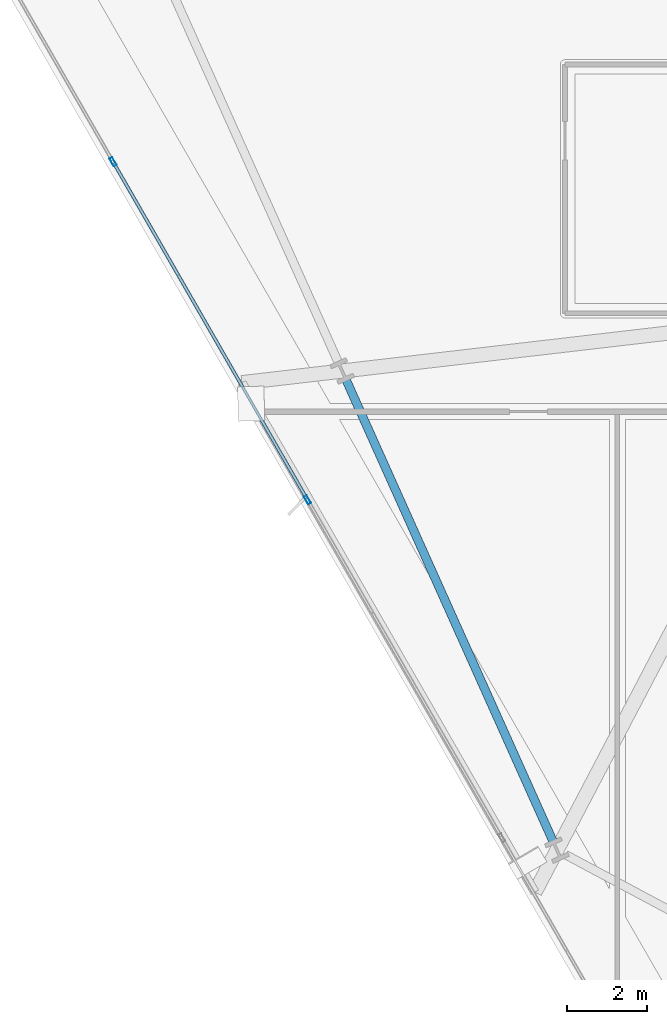
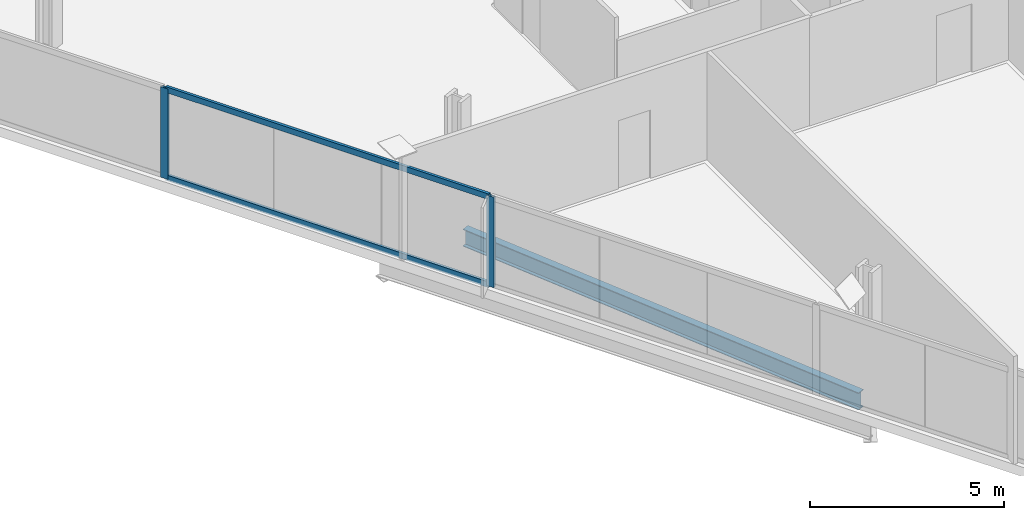
# One storey, part 4 of 33: 4 members, 1 beam, 1 element without a shape of its own.
"""IFC4 building model written with IfcOpenShell, lengths in metres."""

from ifc_helpers import new_model, si_unit, direction, frame, origin, origin_2d, place, context, subcontext, project, spatial, hollow_rectangle, i_section, extrude, material, material_profile, profile_set, type_object, element, aggregate, save


model = new_model("IFC4")

# Units and contexts
model_context = context("Model", 3, precision=1e-05, world=origin(), true_north=direction((0.0, 1.0)))
body_context = subcontext(model_context, "Body", "Model", "MODEL_VIEW")
ifc_project = project(units=[si_unit("LENGTHUNIT", "METRE"), si_unit("AREAUNIT", "SQUARE_METRE"), si_unit("VOLUMEUNIT", "CUBIC_METRE"), si_unit("PLANEANGLEUNIT", "RADIAN"), si_unit("MASSUNIT", "GRAM", prefix="KILO")], contexts=[model_context])

# Site, building, storey
site_placement = place(None, origin())
site = spatial("IfcSite", under=ifc_project, at=site_placement, CompositionType="ELEMENT")
building_placement = place(site_placement, origin())
building = spatial("IfcBuilding", under=site, at=building_placement, Name="Haldenkirk Collegiate Tower", CompositionType="ELEMENT")
storey_placement = place(building_placement, frame((0.0, 0.0, 127.949951171875)))
storey = spatial("IfcBuildingStorey", under=building, at=storey_placement, Name="L31", CompositionType="ELEMENT", Elevation=127.949951171875)

# Beam
ifc_material_1 = material(Name="Steel ASTM A992 Grade 50", Category="steel")
ifc_material_profile_1 = material_profile(ifc_material_1, i_section(OverallWidth=0.2119140625, OverallDepth=0.5439453125, WebThickness=0.01318359375, FlangeThickness=0.021240234375, at=origin_2d()), Name="W21X83")
ifc_profile_set_1 = profile_set([ifc_material_profile_1], Name="Steel ASTM A992 Grade 50")
beam_type = type_object("IfcBeamType", Name="BM-SPANDREL-W21X83", PredefinedType="SPANDREL", material=ifc_profile_set_1)
beam_placement = place(storey_placement, frame((14.742919921875, 16.3369140625, -0.572021484375), z_axis=(0.409131045523, -0.91247563671, 0.0), x_axis=(0.91247563671, 0.409131045523, 0.0)))
element("IfcBeam", 1, at=beam_placement, inside=storey, type_object=beam_type, Name="L31 perimeter spandrel beam 15", PredefinedType="SPANDREL", context=body_context, shape_type="SweptSolid", body=[
    extrude(i_section(OverallWidth=0.2119140625, OverallDepth=0.5439453125, WebThickness=0.01318359375, FlangeThickness=0.021240234375, at=origin_2d()), origin(), (0.0, 0.0, 1.0), 12.593994140625),
])

# Curtain wall, members
ifc_material_2 = material(Name="Anodised architectural bronze aluminium", Category="aluminium")
curtain_wall_type = type_object("IfcCurtainWallType", Name="CW-SYS1-CONVEX-LOW", PredefinedType="USERDEFINED", material=ifc_material_2)
curtain_wall_placement = place(storey_placement, origin())
curtain_wall = element("IfcCurtainWall", 2, at=curtain_wall_placement, inside=storey, type_object=curtain_wall_type, Name="L31 Lower tower convex bronze-framed unitised curtain wall", ObjectType="UNITISED CURTAIN WALL", PredefinedType="USERDEFINED")
ifc_material_profile_2 = material_profile(ifc_material_2, hollow_rectangle(XDim=0.080078125, YDim=0.219970703125, WallThickness=0.0048828125, at=origin_2d()), Name="CW-MUL-1A")
ifc_profile_set_2 = profile_set([ifc_material_profile_2], Name="Anodised architectural bronze aluminium")
member_type_1 = type_object("IfcMemberType", Name="CW-MUL-1A", PredefinedType="MULLION", material=ifc_profile_set_2)
member_1_placement = place(storey_placement, frame((13.77734375, 13.351318359375, 0.0), z_axis=(0.0, 0.0, 1.0), x_axis=(-0.866895687259, -0.498489586061, 0.0)))
member_1 = element("IfcMember", 3, at=member_1_placement, type_object=member_type_1, Name="CW-1A mullion 3", PredefinedType="MULLION", context=body_context, shape_type="SweptSolid", body=[
    extrude(hollow_rectangle(XDim=0.080078125, YDim=0.219970703125, WallThickness=0.0048828125, at=origin_2d()), origin(), (0.0, 0.0, 1.0), 2.85107421875),
])
member_2_placement = place(storey_placement, frame((8.9326171875, 21.7763671875, 0.0), z_axis=(0.0, 0.0, 1.0), x_axis=(-0.866895687259, -0.498489586061, 0.0)))
member_2 = element("IfcMember", 4, at=member_2_placement, type_object=member_type_1, Name="CW-1A mullion 4", PredefinedType="MULLION", context=body_context, shape_type="SweptSolid", body=[
    extrude(hollow_rectangle(XDim=0.080078125, YDim=0.219970703125, WallThickness=0.0048828125, at=origin_2d()), origin(), (0.0, 0.0, 1.0), 2.85107421875),
])
ifc_material_profile_3 = material_profile(ifc_material_2, hollow_rectangle(XDim=0.080078125, YDim=0.179931640625, WallThickness=0.0048828125, at=origin_2d()), Name="CW-TRN-1A")
ifc_profile_set_3 = profile_set([ifc_material_profile_3], Name="Anodised architectural bronze aluminium")
member_type_2 = type_object("IfcMemberType", Name="CW-TRN-1A", PredefinedType="USERDEFINED", material=ifc_profile_set_3)
member_3_placement = place(storey_placement, frame((13.75732421875, 13.385986328125, 0.0400390625), z_axis=(-0.498483021544, 0.866899462009, 0.0), x_axis=(-0.866899462009, -0.498483021544, 0.0)))
member_3 = element("IfcMember", 5, at=member_3_placement, type_object=member_type_2, Name="CW-1A transom 3.1", ObjectType="TRANSOM", PredefinedType="USERDEFINED", context=body_context, shape_type="SweptSolid", body=[
    extrude(hollow_rectangle(XDim=0.080078125, YDim=0.179931640625, WallThickness=0.0048828125, at=origin_2d()), origin(), (0.0, 0.0, 1.0), 9.638671875),
])
member_4_placement = place(storey_placement, frame((13.75732421875, 13.385986328125, 2.81103515625), z_axis=(-0.498483021544, 0.866899462009, 0.0), x_axis=(-0.866899462009, -0.498483021544, 0.0)))
member_4 = element("IfcMember", 6, at=member_4_placement, type_object=member_type_2, Name="CW-1A transom 3.2", ObjectType="TRANSOM", PredefinedType="USERDEFINED", context=body_context, shape_type="SweptSolid", body=[
    extrude(hollow_rectangle(XDim=0.080078125, YDim=0.179931640625, WallThickness=0.0048828125, at=origin_2d()), origin(), (0.0, 0.0, 1.0), 9.638671875),
])
aggregate(curtain_wall, [member_1, member_2, member_3, member_4])

save(model, "model.ifc")
